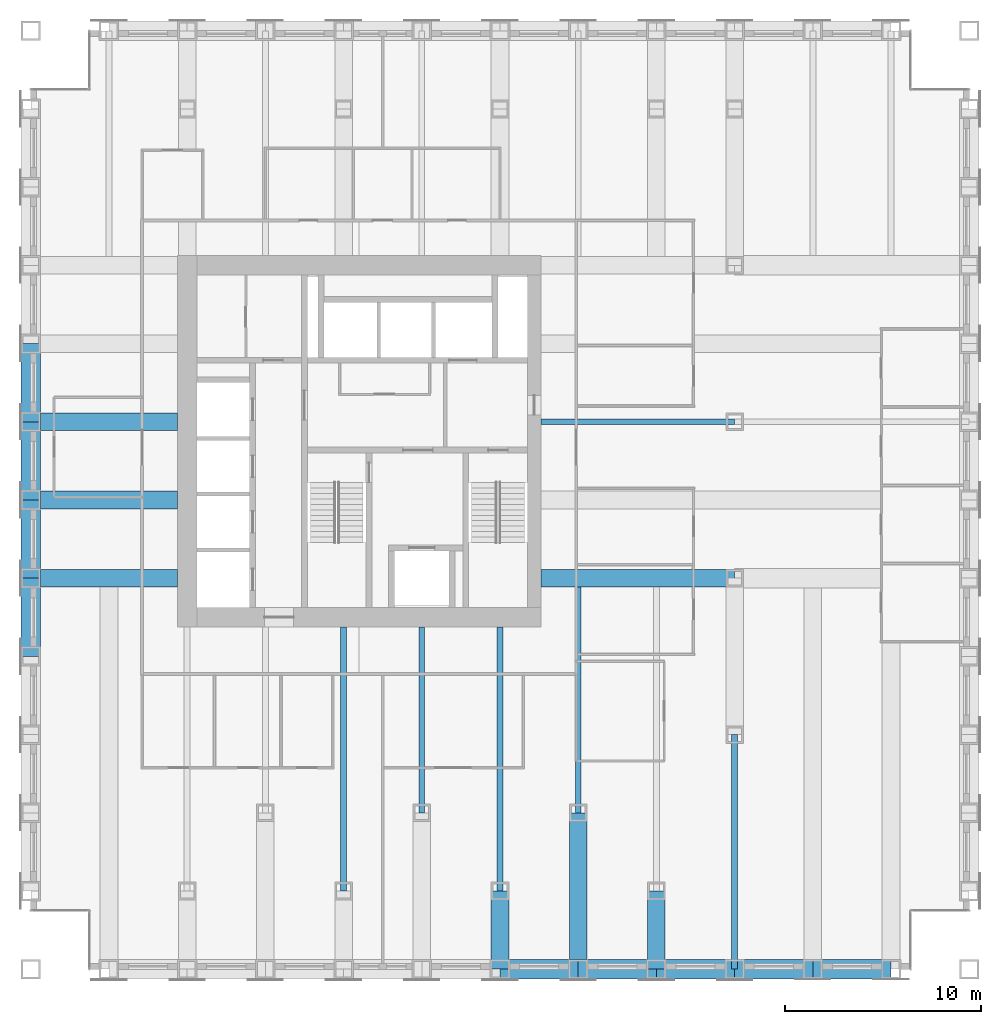
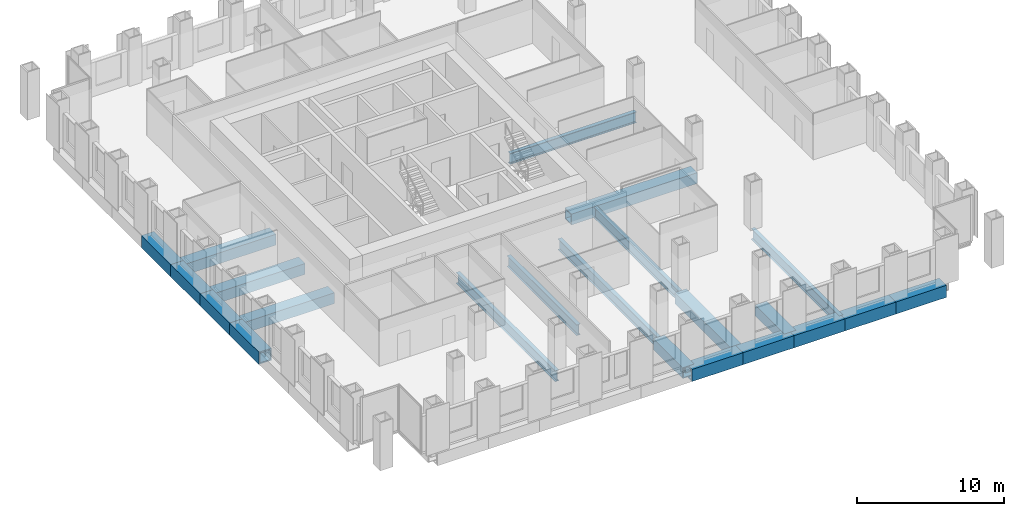
# One storey, part 3 of 16: 22 beams.
"""IFC4 building model written with IfcOpenShell, lengths in metres."""

from ifc_helpers import new_model, si_unit, direction, frame, origin, origin_2d, place, context, subcontext, project, spatial, hollow_rectangle, i_section, extrude, material, material_profile, profile_set, type_object, element, save


model = new_model("IFC4")

# Units and contexts
model_context = context("Model", 3, precision=1e-05, world=origin(), true_north=direction((0.0, 1.0)))
body_context = subcontext(model_context, "Body", "Model", "MODEL_VIEW")
ifc_project = project(units=[si_unit("LENGTHUNIT", "METRE"), si_unit("AREAUNIT", "SQUARE_METRE"), si_unit("VOLUMEUNIT", "CUBIC_METRE"), si_unit("PLANEANGLEUNIT", "RADIAN"), si_unit("MASSUNIT", "GRAM", prefix="KILO")], contexts=[model_context])

# Site, building, storey
site_placement = place(None, origin())
site = spatial("IfcSite", under=ifc_project, at=site_placement, CompositionType="ELEMENT")
building_placement = place(site_placement, origin())
building = spatial("IfcBuilding", under=site, at=building_placement, Name="Rimbunsela Tower", CompositionType="ELEMENT")
storey_placement = place(building_placement, frame((0.0, 0.0, 81.39990234375)))
storey = spatial("IfcBuildingStorey", under=building, at=storey_placement, Name="L19", CompositionType="ELEMENT", Elevation=81.39990234375)

# Beams
ifc_material_1 = material(Name="Steel BJ 55 (fy 410 MPa)", Category="steel")
ifc_material_profile_1 = material_profile(ifc_material_1, hollow_rectangle(XDim=1.0, YDim=1.0, WallThickness=0.10009765625, at=origin_2d()), Name="BOX 1000x1000x100")
ifc_profile_set_1 = profile_set([ifc_material_profile_1], Name="Steel BJ 55 (fy 410 MPa)")
beam_type_1 = type_object("IfcBeamType", Name="Beam BOX 1000x1000x100", PredefinedType="BEAM", material=ifc_profile_set_1)
for number, where, z_axis, x_axis, name in (
    (1, (10.0, 16.0, -0.64990234375), (0.0, 1.0, 0.0), (-1.0, 0.0, 0.0), "Beam B3 L19"),
    (2, (10.0, 20.0, -0.64990234375), (0.0, 1.0, 0.0), (-1.0, 0.0, 0.0), "Beam B3 L19"),
    (3, (10.0, 24.0, -0.64990234375), (0.0, 1.0, 0.0), (-1.0, 0.0, 0.0), "Beam B3 L19"),
    (4, (10.0, 28.0, -0.64990234375), (0.0, 1.0, 0.0), (-1.0, 0.0, 0.0), "Beam B3 L19"),
    (5, (34.0, 0.0, -0.64990234375), (1.0, 0.0, 0.0), (0.0, 1.0, 0.0), "Beam B3 L19"),
    (6, (38.0, 0.0, -0.64990234375), (1.0, 0.0, 0.0), (0.0, 1.0, 0.0), "Beam B3 L19"),
    (7, (42.0, 0.0, -0.64990234375), (1.0, 0.0, 0.0), (0.0, 1.0, 0.0), "Beam B3 L19"),
    (8, (46.0, 0.0, -0.64990234375), (1.0, 0.0, 0.0), (0.0, 1.0, 0.0), "Beam B3 L19"),
    (9, (50.0, 0.0, -0.64990234375), (1.0, 0.0, 0.0), (0.0, 1.0, 0.0), "Beam B3 L19"),
):
    element("IfcBeam", number, at=place(storey_placement, frame(where, z_axis=z_axis, x_axis=x_axis)), inside=storey, type_object=beam_type_1, Name=name, PredefinedType="BEAM", context=body_context, shape_type="SweptSolid", body=[
        extrude(hollow_rectangle(XDim=1.0, YDim=1.0, WallThickness=0.10009765625, at=origin_2d()), origin(), (0.0, 0.0, 1.0), 4.0),
    ])
ifc_material_2 = material(Name="Steel BJ 55 (fy 410 MPa)", Category="steel")
ifc_material_profile_2 = material_profile(ifc_material_2, hollow_rectangle(XDim=0.89990234375, YDim=0.89990234375, WallThickness=0.06005859375, at=origin_2d()), Name="BOX 900x900x60")
ifc_profile_set_2 = profile_set([ifc_material_profile_2], Name="Steel BJ 55 (fy 410 MPa)")
beam_type_2 = type_object("IfcBeamType", Name="Beam BOX 900x900x60", PredefinedType="BEAM", material=ifc_profile_set_2)
for number, where, z_axis, x_axis, name in (
    (10, (10.0, 20.0, -0.599853515625), (1.0, 0.0, 0.0), (0.0, 1.0, 0.0), "Beam B1 L19"),
    (11, (10.0, 24.0, -0.599853515625), (1.0, 0.0, 0.0), (0.0, 1.0, 0.0), "Beam B1 L19"),
    (12, (10.0, 28.0, -0.599853515625), (1.0, 0.0, 0.0), (0.0, 1.0, 0.0), "Beam B1 L19"),
):
    element("IfcBeam", number, at=place(storey_placement, frame(where, z_axis=z_axis, x_axis=x_axis)), inside=storey, type_object=beam_type_2, Name=name, PredefinedType="BEAM", context=body_context, shape_type="SweptSolid", body=[
        extrude(hollow_rectangle(XDim=0.89990234375, YDim=0.89990234375, WallThickness=0.06005859375, at=origin_2d()), origin(), (0.0, 0.0, 1.0), 7.5),
    ])
beam_1_placement = place(storey_placement, frame((34.0, 0.0, -0.599853515625), z_axis=(0.0, 1.0, 0.0), x_axis=(-1.0, 0.0, 0.0)))
element("IfcBeam", 13, at=beam_1_placement, inside=storey, type_object=beam_type_2, Name="Beam B1 L19", PredefinedType="BEAM", context=body_context, shape_type="SweptSolid", body=[
    extrude(hollow_rectangle(XDim=0.89990234375, YDim=0.89990234375, WallThickness=0.06005859375, at=origin_2d()), origin(), (0.0, 0.0, 1.0), 4.0),
])
beam_2_placement = place(storey_placement, frame((36.10009765625, 20.0, -0.599853515625), z_axis=(1.0, 0.0, 0.0), x_axis=(0.0, 1.0, 0.0)))
element("IfcBeam", 14, at=beam_2_placement, inside=storey, type_object=beam_type_2, Name="Beam B1 L19", PredefinedType="BEAM", context=body_context, shape_type="SweptSolid", body=[
    extrude(hollow_rectangle(XDim=0.89990234375, YDim=0.89990234375, WallThickness=0.06005859375, at=origin_2d()), origin(), (0.0, 0.0, 1.0), 9.89990234375),
])
beam_3_placement = place(storey_placement, frame((38.0, 0.0, -0.599853515625), z_axis=(0.0, 1.0, 0.0), x_axis=(-1.0, 0.0, 0.0)))
element("IfcBeam", 15, at=beam_3_placement, inside=storey, type_object=beam_type_2, Name="Beam B1 L19", PredefinedType="BEAM", context=body_context, shape_type="SweptSolid", body=[
    extrude(hollow_rectangle(XDim=0.89990234375, YDim=0.89990234375, WallThickness=0.06005859375, at=origin_2d()), origin(), (0.0, 0.0, 1.0), 8.0),
])
beam_4_placement = place(storey_placement, frame((42.0, 0.0, -0.599853515625), z_axis=(0.0, 1.0, 0.0), x_axis=(-1.0, 0.0, 0.0)))
element("IfcBeam", 16, at=beam_4_placement, inside=storey, type_object=beam_type_2, Name="Beam B1 L19", PredefinedType="BEAM", context=body_context, shape_type="SweptSolid", body=[
    extrude(hollow_rectangle(XDim=0.89990234375, YDim=0.89990234375, WallThickness=0.06005859375, at=origin_2d()), origin(), (0.0, 0.0, 1.0), 4.0),
])
ifc_material_3 = material(Name="Steel BJ 55 (fy 410 MPa)", Category="steel")
ifc_material_profile_3 = material_profile(ifc_material_3, i_section(OverallWidth=0.300048828125, OverallDepth=0.89990234375, WebThickness=0.01611328125, FlangeThickness=0.028076171875, FilletRadius=0.028076171875, at=origin_2d()), Name="H 900x300x16x28")
ifc_profile_set_3 = profile_set([ifc_material_profile_3], Name="Steel BJ 55 (fy 410 MPa)")
beam_type_3 = type_object("IfcBeamType", Name="Beam H 900x300x16x28", PredefinedType="BEAM", material=ifc_profile_set_3)
beam_5_placement = place(storey_placement, frame((26.0, 4.0, -0.599853515625), z_axis=(0.0, 1.0, 0.0), x_axis=(-1.0, 0.0, 0.0)))
element("IfcBeam", 17, at=beam_5_placement, inside=storey, type_object=beam_type_3, Name="Beam B2 L19", PredefinedType="BEAM", context=body_context, shape_type="SweptSolid", body=[
    extrude(i_section(OverallWidth=0.300048828125, OverallDepth=0.89990234375, WebThickness=0.01611328125, FlangeThickness=0.028076171875, FilletRadius=0.028076171875, at=origin_2d()), origin(), (0.0, 0.0, 1.0), 13.5),
])
beam_6_placement = place(storey_placement, frame((30.0, 8.0, -0.599853515625), z_axis=(0.0, 1.0, 0.0), x_axis=(-1.0, 0.0, 0.0)))
element("IfcBeam", 18, at=beam_6_placement, inside=storey, type_object=beam_type_3, Name="Beam B2 L19", PredefinedType="BEAM", context=body_context, shape_type="SweptSolid", body=[
    extrude(i_section(OverallWidth=0.300048828125, OverallDepth=0.89990234375, WebThickness=0.01611328125, FlangeThickness=0.028076171875, FilletRadius=0.028076171875, at=origin_2d()), origin(), (0.0, 0.0, 1.0), 9.5),
])
beam_7_placement = place(storey_placement, frame((34.0, 4.0, -0.599853515625), z_axis=(0.0, 1.0, 0.0), x_axis=(-1.0, 0.0, 0.0)))
element("IfcBeam", 19, at=beam_7_placement, inside=storey, type_object=beam_type_3, Name="Beam B2 L19", PredefinedType="BEAM", context=body_context, shape_type="SweptSolid", body=[
    extrude(i_section(OverallWidth=0.300048828125, OverallDepth=0.89990234375, WebThickness=0.01611328125, FlangeThickness=0.028076171875, FilletRadius=0.028076171875, at=origin_2d()), origin(), (0.0, 0.0, 1.0), 13.5),
])
beam_8_placement = place(storey_placement, frame((36.10009765625, 28.0, -0.599853515625), z_axis=(1.0, 0.0, 0.0), x_axis=(0.0, 1.0, 0.0)))
element("IfcBeam", 20, at=beam_8_placement, inside=storey, type_object=beam_type_3, Name="Beam B2 L19", PredefinedType="BEAM", context=body_context, shape_type="SweptSolid", body=[
    extrude(i_section(OverallWidth=0.300048828125, OverallDepth=0.89990234375, WebThickness=0.01611328125, FlangeThickness=0.028076171875, FilletRadius=0.028076171875, at=origin_2d()), origin(), (0.0, 0.0, 1.0), 9.89990234375),
])
beam_9_placement = place(storey_placement, frame((38.0, 8.0, -0.599853515625), z_axis=(0.0, 1.0, 0.0), x_axis=(-1.0, 0.0, 0.0)))
element("IfcBeam", 21, at=beam_9_placement, inside=storey, type_object=beam_type_3, Name="Beam B2 L19", PredefinedType="BEAM", context=body_context, shape_type="SweptSolid", body=[
    extrude(i_section(OverallWidth=0.300048828125, OverallDepth=0.89990234375, WebThickness=0.01611328125, FlangeThickness=0.028076171875, FilletRadius=0.028076171875, at=origin_2d()), origin(), (0.0, 0.0, 1.0), 11.550048828125),
])
beam_10_placement = place(storey_placement, frame((46.0, 0.0, -0.599853515625), z_axis=(0.0, 1.0, 0.0), x_axis=(-1.0, 0.0, 0.0)))
element("IfcBeam", 22, at=beam_10_placement, inside=storey, type_object=beam_type_3, Name="Beam B2 L19", PredefinedType="BEAM", context=body_context, shape_type="SweptSolid", body=[
    extrude(i_section(OverallWidth=0.300048828125, OverallDepth=0.89990234375, WebThickness=0.01611328125, FlangeThickness=0.028076171875, FilletRadius=0.028076171875, at=origin_2d()), origin(), (0.0, 0.0, 1.0), 12.0),
])

save(model, "model.ifc")
